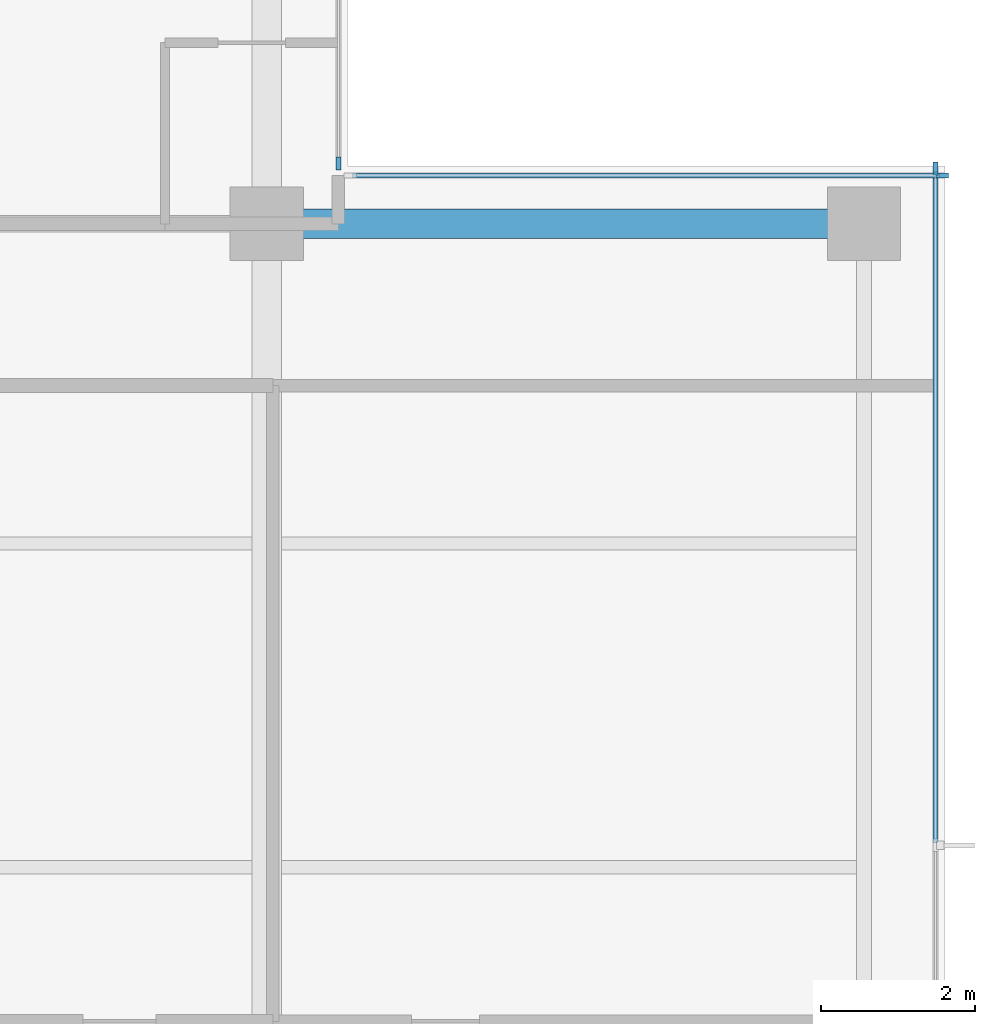
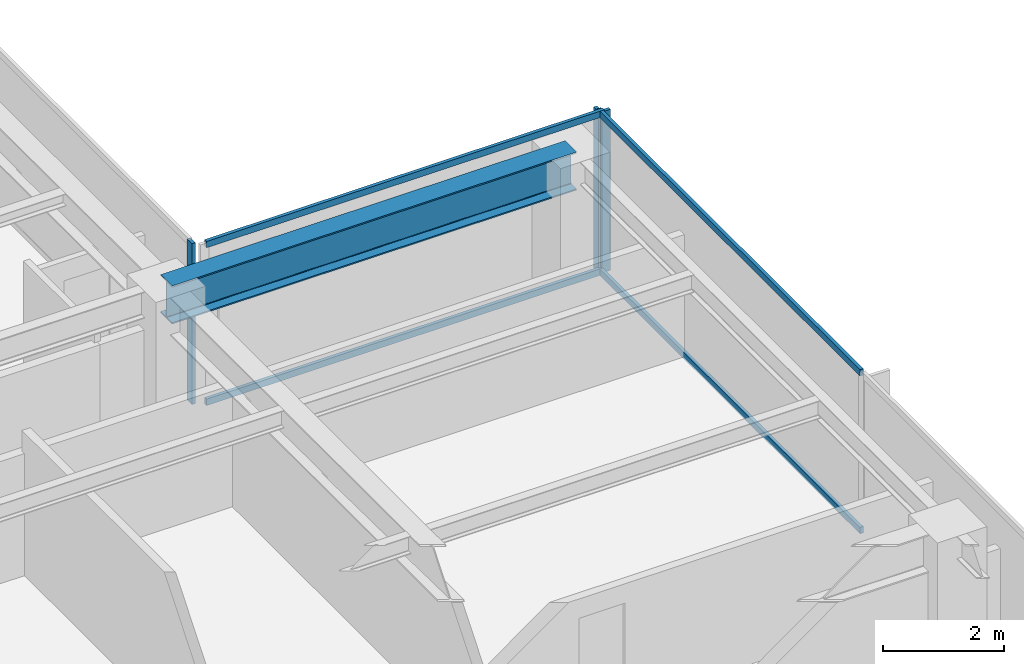
# One storey, part 4 of 15: 7 members, 1 beam, 3 elements without a shape of their own.
"""IFC4 building model written with IfcOpenShell, lengths in metres."""

from ifc_helpers import new_model, si_unit, direction, frame, origin, origin_2d, place, context, subcontext, project, spatial, rectangle, i_section, extrude, material, layer, layer_set, material_profile, profile_set, type_object, element, aggregate, save


model = new_model("IFC4")

# Units and contexts
model_context = context("Model", 3, precision=1e-05, world=origin(), true_north=direction((0.0, 1.0)))
body_context = subcontext(model_context, "Body", "Model", "MODEL_VIEW")
ifc_project = project(units=[si_unit("LENGTHUNIT", "METRE"), si_unit("AREAUNIT", "SQUARE_METRE"), si_unit("VOLUMEUNIT", "CUBIC_METRE"), si_unit("PLANEANGLEUNIT", "RADIAN"), si_unit("MASSUNIT", "GRAM", prefix="KILO")], contexts=[model_context])

# Site, building, storey
site_placement = place(None, origin())
site = spatial("IfcSite", under=ifc_project, at=site_placement, CompositionType="ELEMENT")
building_placement = place(site_placement, origin())
building = spatial("IfcBuilding", under=site, at=building_placement, Name="Qalmaran Belvedere Hotel", CompositionType="ELEMENT")
storey_placement = place(building_placement, frame((0.0, 0.0, 221.39990234375)))
storey = spatial("IfcBuildingStorey", under=building, at=storey_placement, Name="L56", CompositionType="ELEMENT", Elevation=221.39990234375)

# Beam
ifc_material_1 = material(Name="Steel S355JR", Category="steel")
ifc_material_profile_1 = material_profile(ifc_material_1, i_section(OverallWidth=0.381103515625, OverallDepth=0.77294921875, WebThickness=0.0166015625, FlangeThickness=0.027099609375, FilletRadius=0.02197265625, at=origin_2d()), Name="W760X257")
ifc_profile_set_1 = profile_set([ifc_material_profile_1], Name="Steel S355JR")
beam_type = type_object("IfcBeamType", Name="BM-PG4-W760X257", PredefinedType="USERDEFINED", material=ifc_profile_set_1)
beam_placement = place(storey_placement, frame((44.800048828125, 33.0, 2.87353515625), z_axis=(1.0, 0.0, 0.0), x_axis=(0.0, 1.0, 0.0)))
element("IfcBeam", 1, at=beam_placement, inside=storey, type_object=beam_type, Name="L56 East Wing Girder 27", ObjectType="GIRDER", PredefinedType="USERDEFINED", context=body_context, shape_type="SweptSolid", body=[
    extrude(i_section(OverallWidth=0.381103515625, OverallDepth=0.77294921875, WebThickness=0.0166015625, FlangeThickness=0.027099609375, FilletRadius=0.02197265625, at=origin_2d()), origin(), (0.0, 0.0, 1.0), 7.75),
])

# Curtain wall, member
ifc_material_2 = material(Name="Anodised Bronze Aluminium", Category="aluminium")
ifc_layer = layer(ifc_material_2, 0.18994140625, Name="Anodised Bronze Aluminium")
ifc_layer_set = layer_set([ifc_layer], Name="Anodised Bronze Aluminium")
curtain_wall_type = type_object("IfcCurtainWallType", Name="CW5-TOWER-UPPER", PredefinedType="NOTDEFINED", material=ifc_layer_set)
curtain_wall_1_placement = place(storey_placement, origin())
curtain_wall_1 = element("IfcCurtainWall", 2, at=curtain_wall_1_placement, inside=storey, type_object=curtain_wall_type, Name="L56 Curtain Wall CW5", PredefinedType="NOTDEFINED")
ifc_material_profile_2 = material_profile(ifc_material_2, rectangle(XDim=0.06494140625, YDim=0.1650390625, at=origin_2d()), Name="CWM65X165")
ifc_profile_set_2 = profile_set([ifc_material_profile_2], Name="Anodised Bronze Aluminium")
member_type_1 = type_object("IfcMemberType", Name="CWM-65X165", PredefinedType="MULLION", material=ifc_profile_set_2)
member_1_placement = place(storey_placement, frame((53.47998046875, 33.717529296875, 0.0), z_axis=(0.0, 0.0, 1.0), x_axis=(-1.0, 0.0, 0.0)))
member_1 = element("IfcMember", 3, at=member_1_placement, type_object=member_type_1, Name="CW5 mullion 4", PredefinedType="MULLION", context=body_context, shape_type="SweptSolid", body=[
    extrude(rectangle(XDim=0.06494140625, YDim=0.1650390625, at=origin_2d()), origin(), (0.0, 0.0, 1.0), 3.260009765625),
])

curtain_wall_2_placement = place(storey_placement, origin())
curtain_wall_2 = element("IfcCurtainWall", 4, at=curtain_wall_2_placement, inside=storey, type_object=curtain_wall_type, Name="L56 Curtain Wall CW5", PredefinedType="NOTDEFINED")
member_2_placement = place(storey_placement, frame((53.5673828125, 33.6298828125, 0.0), z_axis=(0.0, 0.0, 1.0), x_axis=(0.0, -1.0, 0.0)))
member_2 = element("IfcMember", 5, at=member_2_placement, type_object=member_type_1, Name="CW5 mullion 1", PredefinedType="MULLION", context=body_context, shape_type="SweptSolid", body=[
    extrude(rectangle(XDim=0.06494140625, YDim=0.1650390625, at=origin_2d()), origin(), (0.0, 0.0, 1.0), 3.260009765625),
])

curtain_wall_3_placement = place(storey_placement, origin())
curtain_wall_3 = element("IfcCurtainWall", 6, at=curtain_wall_3_placement, inside=storey, type_object=curtain_wall_type, Name="L56 Curtain Wall CW5", PredefinedType="NOTDEFINED")
member_3_placement = place(storey_placement, frame((45.72998046875, 33.782470703125, 0.0), z_axis=(0.0, 0.0, 1.0), x_axis=(-1.0, 0.0, 0.0)))
member_3 = element("IfcMember", 7, at=member_3_placement, type_object=member_type_1, Name="CW5 mullion 1", PredefinedType="MULLION", context=body_context, shape_type="SweptSolid", body=[
    extrude(rectangle(XDim=0.06494140625, YDim=0.1650390625, at=origin_2d()), origin(), (0.0, 0.0, 1.0), 3.260009765625),
])
aggregate(curtain_wall_3, [member_3])

# Member
ifc_material_profile_3 = material_profile(ifc_material_2, rectangle(XDim=0.06494140625, YDim=0.1298828125, at=origin_2d()), Name="CWT65X130")
ifc_profile_set_3 = profile_set([ifc_material_profile_3], Name="Anodised Bronze Aluminium")
member_type_2 = type_object("IfcMemberType", Name="CWT-65X130", PredefinedType="USERDEFINED", material=ifc_profile_set_3)
member_4_placement = place(storey_placement, frame((53.47998046875, 24.9658203125, 0.03271484375), z_axis=(0.0, 1.0, 0.0), x_axis=(-1.0, 0.0, 0.0)))
member_4 = element("IfcMember", 8, at=member_4_placement, type_object=member_type_2, Name="CW5 transom 3.1", ObjectType="TRANSOM", PredefinedType="USERDEFINED", context=body_context, shape_type="SweptSolid", body=[
    extrude(rectangle(XDim=0.06494140625, YDim=0.1298828125, at=origin_2d()), origin(), (0.0, 0.0, 1.0), 8.71923828125),
])

member_5_placement = place(storey_placement, frame((53.47998046875, 24.9658203125, 3.2275390625), z_axis=(0.0, 1.0, 0.0), x_axis=(-1.0, 0.0, 0.0)))
member_5 = element("IfcMember", 9, at=member_5_placement, type_object=member_type_2, Name="CW5 transom 3.2", ObjectType="TRANSOM", PredefinedType="USERDEFINED", context=body_context, shape_type="SweptSolid", body=[
    extrude(rectangle(XDim=0.06494140625, YDim=0.1298828125, at=origin_2d()), origin(), (0.0, 0.0, 1.0), 8.71923828125),
])

aggregate(curtain_wall_1, [member_1, member_4, member_5])

member_6_placement = place(storey_placement, frame((53.534912109375, 33.6298828125, 0.03271484375), z_axis=(-1.0, 0.0, 0.0), x_axis=(0.0, -1.0, 0.0)))
member_6 = element("IfcMember", 10, at=member_6_placement, type_object=member_type_2, Name="CW5 transom 1.1", ObjectType="TRANSOM", PredefinedType="USERDEFINED", context=body_context, shape_type="SweptSolid", body=[
    extrude(rectangle(XDim=0.06494140625, YDim=0.1298828125, at=origin_2d()), origin(), (0.0, 0.0, 1.0), 7.619873046875),
])

member_7_placement = place(storey_placement, frame((53.534912109375, 33.6298828125, 3.2275390625), z_axis=(-1.0, 0.0, 0.0), x_axis=(0.0, -1.0, 0.0)))
member_7 = element("IfcMember", 11, at=member_7_placement, type_object=member_type_2, Name="CW5 transom 1.2", ObjectType="TRANSOM", PredefinedType="USERDEFINED", context=body_context, shape_type="SweptSolid", body=[
    extrude(rectangle(XDim=0.06494140625, YDim=0.1298828125, at=origin_2d()), origin(), (0.0, 0.0, 1.0), 7.619873046875),
])

aggregate(curtain_wall_2, [member_2, member_6, member_7])

save(model, "model.ifc")
